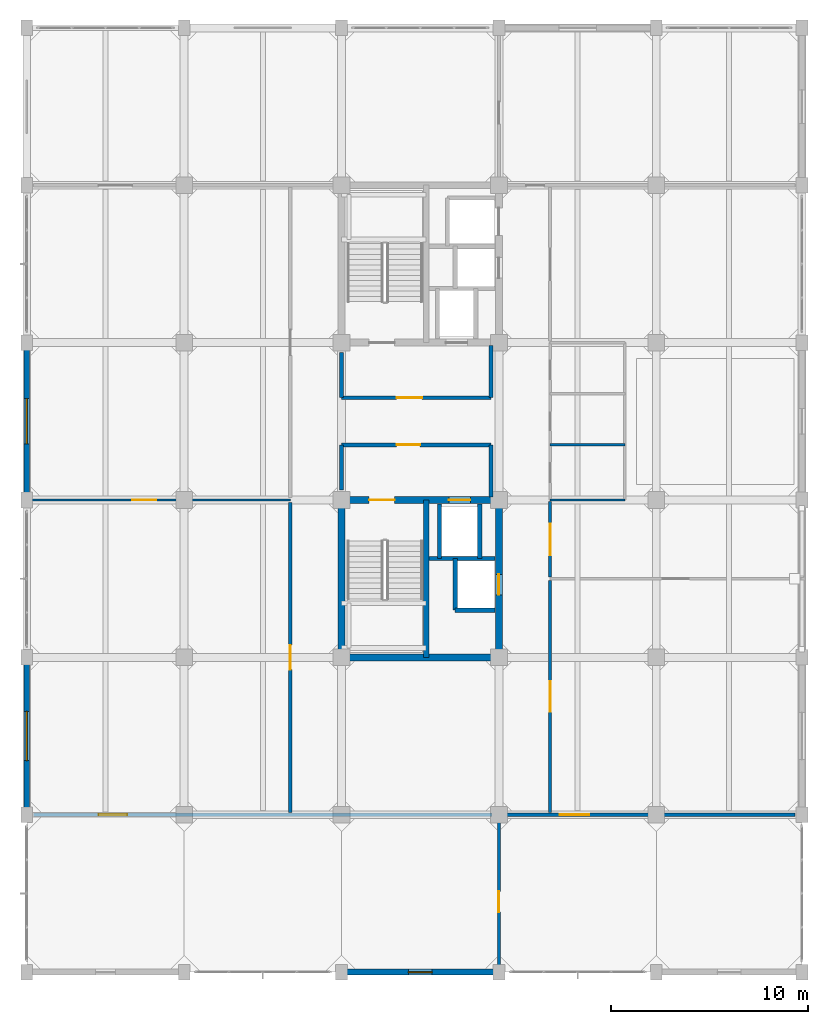
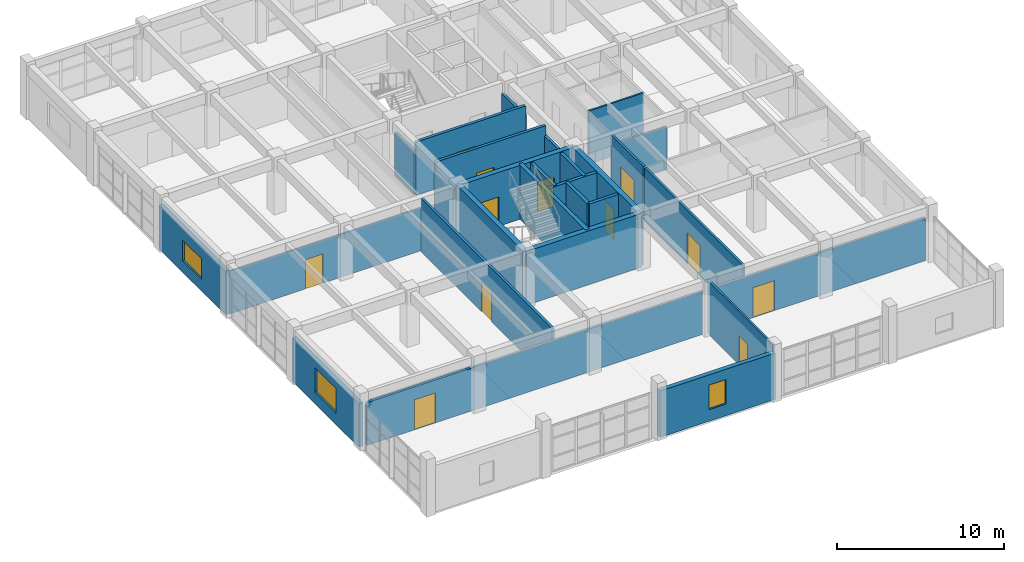
# One storey, part 21 of 27: 28 walls, 12 doors, 3 windows, 15 openings.
"""IFC4 building model written with IfcOpenShell, lengths in metres."""

from ifc_helpers import new_model, si_unit, direction, frame, frame_2d, origin, place, context, subcontext, project, spatial, rectangle, extrude, material, layer, layer_set, type_object, element, fill, save


model = new_model("IFC4")

# Units and contexts
model_context = context("Model", 3, precision=1e-05, world=origin(), true_north=direction((0.0, 1.0)))
body_context = subcontext(model_context, "Body", "Model", "MODEL_VIEW")
ifc_project = project(units=[si_unit("LENGTHUNIT", "METRE"), si_unit("AREAUNIT", "SQUARE_METRE"), si_unit("VOLUMEUNIT", "CUBIC_METRE"), si_unit("PLANEANGLEUNIT", "RADIAN"), si_unit("MASSUNIT", "GRAM", prefix="KILO")], contexts=[model_context])

# Site, building, storey
site_placement = place(None, origin())
site = spatial("IfcSite", under=ifc_project, at=site_placement, CompositionType="ELEMENT")
building_placement = place(site_placement, origin())
building = spatial("IfcBuilding", under=site, at=building_placement, Name="Canggui Botanical Conservatory", CompositionType="ELEMENT")
storey_placement = place(building_placement, frame((0.0, 0.0, 23.39990234375)))
storey = spatial("IfcBuildingStorey", under=building, at=storey_placement, Name="L06", CompositionType="ELEMENT", Elevation=23.39990234375)

# Wall, opening, window
ifc_material_1 = material(Name="Precast Concrete C40", Category="concrete")
ifc_layer_1 = layer(ifc_material_1, 0.300048828125, Name="Precast Concrete C40", Category="concrete")
ifc_layer_set_1 = layer_set([ifc_layer_1], Name="Precast Concrete C40")
wall_type_1 = type_object("IfcWallType", Name="EW-300", PredefinedType="STANDARD", material=ifc_layer_set_1)
wall_1_placement = place(storey_placement, frame((162.0, 26.0, 0.0), z_axis=(0.0, 0.0, 1.0), x_axis=(-1.0, 0.0, 0.0)))
wall_1 = element("IfcWall", 1, at=wall_1_placement, inside=storey, type_object=wall_type_1, Name="Tower Insulated Exterior Wall L06-S3", PredefinedType="STANDARD", context=body_context, shape_type="SweptSolid", body=[
    extrude(rectangle(XDim=8.0, YDim=0.300048828125, at=frame_2d((4.0, 0.0))), origin(), (0.0, 0.0, 1.0), 3.400146484375),
])
opening_1_placement = place(wall_1_placement, frame((3.39990234375, 0.0, 0.85009765625)))
opening_1 = element("IfcOpeningElement", 2, at=opening_1_placement, cuts=wall_1, Name="Opening W-15", PredefinedType="OPENING", context=body_context, shape_type="SweptSolid", body=[
    extrude(rectangle(XDim=1.199951171875, YDim=1.800048828125, at=frame_2d((0.60009765625, 0.89990234375))), frame((0.0, 0.16015625, 0.0), z_axis=(0.0, -1.0, 0.0), x_axis=(1.0, 0.0, 0.0)), (0.0, 0.0, 1.0), 0.320068359375),
])
ifc_material_2 = material(Name="Low-E Insulated Glass", Category="glass")
window_type_1 = type_object("IfcWindowType", Name="WIN-15", PartitioningType="SINGLE_PANEL", PredefinedType="WINDOW", material=ifc_material_2)
window_1_placement = place(opening_1_placement, origin())
window_1 = element("IfcWindow", 3, at=window_1_placement, inside=storey, type_object=window_type_1, Name="Tower Window L06-3", OverallHeight=1.800048828125, OverallWidth=1.199951171875, PartitioningType="SINGLE_PANEL", PredefinedType="WINDOW", context=body_context, shape_type="SweptSolid", body=[
    extrude(rectangle(XDim=1.199951171875, YDim=1.800048828125, at=frame_2d((0.60009765625, 0.89990234375))), frame((0.0, 0.030029296875, 0.0), z_axis=(0.0, -1.0, 0.0), x_axis=(1.0, 0.0, 0.0)), (0.0, 0.0, 1.0), 0.06005859375),
])
fill(opening_1, window_1)

wall_2_placement = place(storey_placement, frame((138.0, 34.0, 0.0), z_axis=(0.0, 0.0, 1.0), x_axis=(0.0, 1.0, 0.0)))
wall_2 = element("IfcWall", 4, at=wall_2_placement, inside=storey, type_object=wall_type_1, Name="Tower Insulated Exterior Wall L06-W7", PredefinedType="STANDARD", context=body_context, shape_type="SweptSolid", body=[
    extrude(rectangle(XDim=8.0, YDim=0.300048828125, at=frame_2d((4.0, 0.0))), origin(), (0.0, 0.0, 1.0), 3.190185546875),
])
opening_2_placement = place(wall_2_placement, frame((2.75, 0.0, 0.85009765625)))
opening_2 = element("IfcOpeningElement", 5, at=opening_2_placement, cuts=wall_2, Name="Opening W-18", PredefinedType="OPENING", context=body_context, shape_type="SweptSolid", body=[
    extrude(rectangle(XDim=2.5, YDim=1.800048828125, at=frame_2d((1.25, 0.89990234375))), frame((0.0, 0.16015625, 0.0), z_axis=(0.0, -1.0, 0.0), x_axis=(1.0, 0.0, 0.0)), (0.0, 0.0, 1.0), 0.320068359375),
])
window_type_2 = type_object("IfcWindowType", Name="WIN-18", PartitioningType="DOUBLE_PANEL_VERTICAL", PredefinedType="WINDOW", material=ifc_material_2)
window_2_placement = place(opening_2_placement, origin())
window_2 = element("IfcWindow", 6, at=window_2_placement, inside=storey, type_object=window_type_2, Name="Tower Window L06-7", OverallHeight=1.800048828125, OverallWidth=2.5, PartitioningType="SINGLE_PANEL", PredefinedType="WINDOW", context=body_context, shape_type="SweptSolid", body=[
    extrude(rectangle(XDim=2.5, YDim=1.800048828125, at=frame_2d((1.25, 0.89990234375))), frame((0.0, 0.030029296875, 0.0), z_axis=(0.0, -1.0, 0.0), x_axis=(1.0, 0.0, 0.0)), (0.0, 0.0, 1.0), 0.06005859375),
])
fill(opening_2, window_2)

wall_3_placement = place(storey_placement, frame((138.0, 50.0, 0.0), z_axis=(0.0, 0.0, 1.0), x_axis=(0.0, 1.0, 0.0)))
wall_3 = element("IfcWall", 7, at=wall_3_placement, inside=storey, type_object=wall_type_1, Name="Tower Insulated Exterior Wall L06-W9", PredefinedType="STANDARD", context=body_context, shape_type="SweptSolid", body=[
    extrude(rectangle(XDim=8.0, YDim=0.300048828125, at=frame_2d((4.0, 0.0))), origin(), (0.0, 0.0, 1.0), 3.190185546875),
])
opening_3_placement = place(wall_3_placement, frame((2.85009765625, 0.0, 0.85009765625)))
opening_3 = element("IfcOpeningElement", 8, at=opening_3_placement, cuts=wall_3, Name="Opening W-19", PredefinedType="OPENING", context=body_context, shape_type="SweptSolid", body=[
    extrude(rectangle(XDim=2.300048828125, YDim=1.5, at=frame_2d((1.14990234375, 0.75))), frame((0.0, 0.16015625, 0.0), z_axis=(0.0, -1.0, 0.0), x_axis=(1.0, 0.0, 0.0)), (0.0, 0.0, 1.0), 0.320068359375),
])
window_type_3 = type_object("IfcWindowType", Name="WIN-19", PartitioningType="DOUBLE_PANEL_VERTICAL", PredefinedType="WINDOW", material=ifc_material_2)
window_3_placement = place(opening_3_placement, origin())
window_3 = element("IfcWindow", 9, at=window_3_placement, inside=storey, type_object=window_type_3, Name="Tower Window L06-9", OverallHeight=1.5, OverallWidth=2.300048828125, PartitioningType="SINGLE_PANEL", PredefinedType="WINDOW", context=body_context, shape_type="SweptSolid", body=[
    extrude(rectangle(XDim=2.300048828125, YDim=1.5, at=frame_2d((1.14990234375, 0.75))), frame((0.0, 0.030029296875, 0.0), z_axis=(0.0, -1.0, 0.0), x_axis=(1.0, 0.0, 0.0)), (0.0, 0.0, 1.0), 0.06005859375),
])
fill(opening_3, window_3)

# Wall, opening, door
ifc_material_3 = material(Name="Gypsum Plasterboard Partition")
ifc_layer_2 = layer(ifc_material_3, 0.175048828125, Name="Gypsum Plasterboard Partition")
ifc_layer_set_2 = layer_set([ifc_layer_2], Name="Gypsum Plasterboard Partition")
wall_type_2 = type_object("IfcWallType", Name="IW-CORR-175", PredefinedType="STANDARD", material=ifc_layer_set_2)
wall_4_placement = place(storey_placement, frame((151.39990234375, 34.1201171875, 0.0), z_axis=(0.0, 0.0, 1.0), x_axis=(0.0, 1.0, 0.0)))
wall_4 = element("IfcWall", 10, at=wall_4_placement, inside=storey, type_object=wall_type_2, Name="L06 Plant Systematics Dry Research Laboratory Corridor Wall", PredefinedType="STANDARD", context=body_context, shape_type="SweptSolid", body=[
    extrude(rectangle(XDim=15.759765625, YDim=0.175048828125, at=frame_2d((7.8798828125, 0.0))), origin(), (0.0, 0.0, 1.0), 3.900146484375),
])
opening_4_placement = place(wall_4_placement, frame((7.2548828125, 0.0, 0.0)))
opening_4 = element("IfcOpeningElement", 11, at=opening_4_placement, cuts=wall_4, Name="Opening FD-08", PredefinedType="OPENING", context=body_context, shape_type="SweptSolid", body=[
    extrude(rectangle(XDim=1.25, YDim=2.14990234375, at=frame_2d((0.625, 1.074951171875))), frame((0.0, 0.09765625, 0.0), z_axis=(0.0, -1.0, 0.0), x_axis=(1.0, 0.0, 0.0)), (0.0, 0.0, 1.0), 0.195068359375),
])
ifc_material_4 = material(Name="Powder-Coated Steel", Category="steel")
door_type_1 = type_object("IfcDoorType", Name="FD-08", OperationType="NOTDEFINED", PredefinedType="DOOR", material=ifc_material_4)
door_1_placement = place(opening_4_placement, origin())
door_1 = element("IfcDoor", 12, at=door_1_placement, inside=storey, type_object=door_type_1, Name="L06 Plant Systematics Dry Research Laboratory Entrance Door", OperationType="SINGLE_SWING_RIGHT", OverallHeight=2.14990234375, OverallWidth=1.25, PredefinedType="DOOR", context=body_context, shape_type="SweptSolid", body=[
    extrude(rectangle(XDim=1.25, YDim=2.14990234375, at=frame_2d((0.625, 1.074951171875))), frame((0.0, 0.02490234375, 0.0), z_axis=(0.0, -1.0, 0.0), x_axis=(1.0, 0.0, 0.0)), (0.0, 0.0, 1.0), 0.050048828125),
])
fill(opening_4, door_1)

wall_5_placement = place(storey_placement, frame((138.35009765625, 34.0, 0.0), z_axis=(0.0, 0.0, 1.0), x_axis=(1.0, 0.0, 0.0)))
wall_5 = element("IfcWall", 13, at=wall_5_placement, inside=storey, type_object=wall_type_2, Name="L06 Quantitative Ecology Studio South Suite Wall", PredefinedType="STANDARD", context=body_context, shape_type="SweptSolid", body=[
    extrude(rectangle(XDim=23.2998046875, YDim=0.175048828125, at=frame_2d((11.64990234375, 0.0))), origin(), (0.0, 0.0, 1.0), 3.14013671875),
])
opening_5_placement = place(wall_5_placement, frame((3.300048828125, 0.0, 0.0)))
opening_5 = element("IfcOpeningElement", 14, at=opening_5_placement, cuts=wall_5, Name="Opening FD-12", PredefinedType="OPENING", context=body_context, shape_type="SweptSolid", body=[
    extrude(rectangle(XDim=1.449951171875, YDim=2.199951171875, at=frame_2d((0.72509765625, 1.10009765625))), frame((0.0, 0.09765625, 0.0), z_axis=(0.0, -1.0, 0.0), x_axis=(1.0, 0.0, 0.0)), (0.0, 0.0, 1.0), 0.195068359375),
])
door_type_2 = type_object("IfcDoorType", Name="FD-12", OperationType="NOTDEFINED", PredefinedType="DOOR", material=ifc_material_4)
door_2_placement = place(opening_5_placement, origin())
door_2 = element("IfcDoor", 15, at=door_2_placement, inside=storey, type_object=door_type_2, Name="Interior Door IW-L06-SCOR-1", OperationType="SINGLE_SWING_LEFT", OverallHeight=2.199951171875, OverallWidth=1.449951171875, PredefinedType="DOOR", context=body_context, shape_type="SweptSolid", body=[
    extrude(rectangle(XDim=1.449951171875, YDim=2.199951171875, at=frame_2d((0.72509765625, 1.10009765625))), frame((0.0, 0.02490234375, 0.0), z_axis=(0.0, -1.0, 0.0), x_axis=(1.0, 0.0, 0.0)), (0.0, 0.0, 1.0), 0.050048828125),
])
fill(opening_5, door_2)

wall_6_placement = place(storey_placement, frame((162.35009765625, 34.0, 0.0), z_axis=(0.0, 0.0, 1.0), x_axis=(1.0, 0.0, 0.0)))
wall_6 = element("IfcWall", 16, at=wall_6_placement, inside=storey, type_object=wall_type_2, Name="L06 Botanical GIS Mapping Laboratory South Suite Wall", PredefinedType="STANDARD", context=body_context, shape_type="SweptSolid", body=[
    extrude(rectangle(XDim=14.699951171875, YDim=0.175048828125, at=frame_2d((7.35009765625, 0.0))), origin(), (0.0, 0.0, 1.0), 3.14013671875),
])
opening_6_placement = place(wall_6_placement, frame((2.75, 0.0, 0.0)))
opening_6 = element("IfcOpeningElement", 17, at=opening_6_placement, cuts=wall_6, Name="Opening FD-13", PredefinedType="OPENING", context=body_context, shape_type="SweptSolid", body=[
    extrude(rectangle(XDim=1.5, YDim=2.199951171875, at=frame_2d((0.75, 1.10009765625))), frame((0.0, 0.09765625, 0.0), z_axis=(0.0, -1.0, 0.0), x_axis=(1.0, 0.0, 0.0)), (0.0, 0.0, 1.0), 0.195068359375),
])
door_type_3 = type_object("IfcDoorType", Name="FD-13", OperationType="NOTDEFINED", PredefinedType="DOOR", material=ifc_material_4)
door_3_placement = place(opening_6_placement, origin())
door_3 = element("IfcDoor", 18, at=door_3_placement, inside=storey, type_object=door_type_3, Name="Interior Door IW-L06-SCOR-2", OperationType="SINGLE_SWING_LEFT", OverallHeight=2.199951171875, OverallWidth=1.5, PredefinedType="DOOR", context=body_context, shape_type="SweptSolid", body=[
    extrude(rectangle(XDim=1.5, YDim=2.199951171875, at=frame_2d((0.75, 1.10009765625))), frame((0.0, 0.02490234375, 0.0), z_axis=(0.0, -1.0, 0.0), x_axis=(1.0, 0.0, 0.0)), (0.0, 0.0, 1.0), 0.050048828125),
])
fill(opening_6, door_3)

ifc_layer_3 = layer(ifc_material_3, 0.155029296875, Name="Gypsum Plasterboard Partition")
ifc_layer_set_3 = layer_set([ifc_layer_3], Name="Gypsum Plasterboard Partition")
wall_type_3 = type_object("IfcWallType", Name="IW-LAB-155", PredefinedType="STANDARD", material=ifc_layer_set_3)
wall_7_placement = place(storey_placement, frame((164.60009765625, 34.1201171875, 0.0), z_axis=(0.0, 0.0, 1.0), x_axis=(0.0, 1.0, 0.0)))
wall_7 = element("IfcWall", 19, at=wall_7_placement, inside=storey, type_object=wall_type_3, Name="L06 Biostatistics Seminar Room Lab Wall", PredefinedType="STANDARD", context=body_context, shape_type="SweptSolid", body=[
    extrude(rectangle(XDim=11.7998046875, YDim=0.155029296875, at=frame_2d((5.89990234375, 0.0))), origin(), (0.0, 0.0, 1.0), 3.900146484375),
])
opening_7_placement = place(wall_7_placement, frame((5.125, 0.0, 0.0)))
opening_7 = element("IfcOpeningElement", 20, at=opening_7_placement, cuts=wall_7, Name="Opening FD-14", PredefinedType="OPENING", context=body_context, shape_type="SweptSolid", body=[
    extrude(rectangle(XDim=1.550048828125, YDim=2.25, at=frame_2d((0.77490234375, 1.125))), frame((0.0, 0.08740234375, 0.0), z_axis=(0.0, -1.0, 0.0), x_axis=(1.0, 0.0, 0.0)), (0.0, 0.0, 1.0), 0.175048828125),
])
door_type_4 = type_object("IfcDoorType", Name="FD-14", OperationType="NOTDEFINED", PredefinedType="DOOR", material=ifc_material_4)
door_4_placement = place(opening_7_placement, origin())
door_4 = element("IfcDoor", 21, at=door_4_placement, inside=storey, type_object=door_type_4, Name="Interior Door IW-L06-ECOR-1-1", OperationType="SINGLE_SWING_LEFT", OverallHeight=2.25, OverallWidth=1.550048828125, PredefinedType="DOOR", context=body_context, shape_type="SweptSolid", body=[
    extrude(rectangle(XDim=1.550048828125, YDim=2.25, at=frame_2d((0.77490234375, 1.125))), frame((0.0, 0.02490234375, 0.0), z_axis=(0.0, -1.0, 0.0), x_axis=(1.0, 0.0, 0.0)), (0.0, 0.0, 1.0), 0.050048828125),
])
fill(opening_7, door_4)

wall_8_placement = place(storey_placement, frame((164.60009765625, 46.080078125, 0.0), z_axis=(0.0, 0.0, 1.0), x_axis=(0.0, 1.0, 0.0)))
wall_8 = element("IfcWall", 22, at=wall_8_placement, inside=storey, type_object=wall_type_3, Name="L06 Dry Herbarium Reference Laboratory Lab Wall", PredefinedType="STANDARD", context=body_context, shape_type="SweptSolid", body=[
    extrude(rectangle(XDim=3.83984375, YDim=0.155029296875, at=frame_2d((1.919921875, 0.0))), origin(), (0.0, 0.0, 1.0), 3.900146484375),
])
opening_8_placement = place(wall_8_placement, frame((1.1201171875, 0.0, 0.0)))
opening_8 = element("IfcOpeningElement", 23, at=opening_8_placement, cuts=wall_8, Name="Opening FD-15", PredefinedType="OPENING", context=body_context, shape_type="SweptSolid", body=[
    extrude(rectangle(XDim=1.60009765625, YDim=2.25, at=frame_2d((0.800048828125, 1.125))), frame((0.0, 0.08740234375, 0.0), z_axis=(0.0, -1.0, 0.0), x_axis=(1.0, 0.0, 0.0)), (0.0, 0.0, 1.0), 0.175048828125),
])
door_type_5 = type_object("IfcDoorType", Name="FD-15", OperationType="NOTDEFINED", PredefinedType="DOOR", material=ifc_material_4)
door_5_placement = place(opening_8_placement, origin())
door_5 = element("IfcDoor", 24, at=door_5_placement, inside=storey, type_object=door_type_5, Name="Interior Door IW-L06-ECOR-2-1", OperationType="DOUBLE_DOOR_SINGLE_SWING", OverallHeight=2.25, OverallWidth=1.60009765625, PredefinedType="DOOR", context=body_context, shape_type="SweptSolid", body=[
    extrude(rectangle(XDim=1.60009765625, YDim=2.25, at=frame_2d((0.800048828125, 1.125))), frame((0.0, 0.02490234375, 0.0), z_axis=(0.0, -1.0, 0.0), x_axis=(1.0, 0.0, 0.0)), (0.0, 0.0, 1.0), 0.050048828125),
])
fill(opening_8, door_5)

ifc_layer_4 = layer(ifc_material_3, 0.110107421875, Name="Gypsum Plasterboard Partition")
ifc_layer_set_4 = layer_set([ifc_layer_4], Name="Gypsum Plasterboard Partition")
wall_type_4 = type_object("IfcWallType", Name="IW-LIGHT-110", PredefinedType="STANDARD", material=ifc_layer_set_4)
wall_9_placement = place(storey_placement, frame((138.1201171875, 50.0, 0.0), z_axis=(0.0, 0.0, 1.0), x_axis=(1.0, 0.0, 0.0)))
wall_9 = element("IfcWall", 25, at=wall_9_placement, inside=storey, type_object=wall_type_4, Name="L06 Plant Systematics Dry Research Laboratory Cross Partition", PredefinedType="STANDARD", context=body_context, shape_type="SweptSolid", body=[
    extrude(rectangle(XDim=13.27978515625, YDim=0.110107421875, at=frame_2d((6.639892578125, 0.0))), origin(), (0.0, 0.0, 1.0), 3.14013671875),
])
opening_9_placement = place(wall_9_placement, frame((5.22998046875, 0.0, 0.0)))
opening_9 = element("IfcOpeningElement", 26, at=opening_9_placement, cuts=wall_9, Name="Opening ID-08", PredefinedType="OPENING", context=body_context, shape_type="SweptSolid", body=[
    extrude(rectangle(XDim=1.219970703125, YDim=2.139892578125, at=frame_2d((0.60986328125, 1.06982421875))), frame((0.0, 0.06494140625, 0.0), z_axis=(0.0, -1.0, 0.0), x_axis=(1.0, 0.0, 0.0)), (0.0, 0.0, 1.0), 0.130126953125),
])
ifc_material_5 = material(Name="Engineered Timber Veneer", Category="wood")
door_type_6 = type_object("IfcDoorType", Name="ID-08", OperationType="NOTDEFINED", PredefinedType="DOOR", material=ifc_material_5)
door_6_placement = place(opening_9_placement, origin())
door_6 = element("IfcDoor", 27, at=door_6_placement, inside=storey, type_object=door_type_6, Name="L06 Plant Systematics Dry Research Laboratory Interconnecting Door", OperationType="SINGLE_SWING_LEFT", OverallHeight=2.139892578125, OverallWidth=1.219970703125, PredefinedType="DOOR", context=body_context, shape_type="SweptSolid", body=[
    extrude(rectangle(XDim=1.219970703125, YDim=2.139892578125, at=frame_2d((0.60986328125, 1.06982421875))), frame((0.0, 0.02490234375, 0.0), z_axis=(0.0, -1.0, 0.0), x_axis=(1.0, 0.0, 0.0)), (0.0, 0.0, 1.0), 0.050048828125),
])
fill(opening_9, door_6)

ifc_material_6 = material(Name="Concrete C35", Category="concrete")
ifc_layer_5 = layer(ifc_material_6, 0.195068359375, Name="Concrete C35", Category="concrete")
ifc_layer_set_5 = layer_set([ifc_layer_5], Name="Concrete C35")
wall_type_5 = type_object("IfcWallType", Name="IW-LOBBY-195", PredefinedType="STANDARD", material=ifc_layer_set_5)
wall_10_placement = place(storey_placement, frame((154.0, 52.800048828125, 0.0), z_axis=(0.0, 0.0, 1.0), x_axis=(1.0, 0.0, 0.0)))
wall_10 = element("IfcWall", 28, at=wall_10_placement, inside=storey, type_object=wall_type_5, Name="L06 South Firefighting Lift Lobby North Wall", PredefinedType="STANDARD", context=body_context, shape_type="SweptSolid", body=[
    extrude(rectangle(XDim=7.60009765625, YDim=0.195068359375, at=frame_2d((3.800048828125, 0.0))), origin(), (0.0, 0.0, 1.0), 3.900146484375),
])
opening_10_placement = place(wall_10_placement, frame((2.800048828125, 0.0, 0.0)))
opening_10 = element("IfcOpeningElement", 29, at=opening_10_placement, cuts=wall_10, Name="Opening FD-07", PredefinedType="OPENING", context=body_context, shape_type="SweptSolid", body=[
    extrude(rectangle(XDim=1.199951171875, YDim=2.10009765625, at=frame_2d((0.60009765625, 1.050048828125))), frame((0.0, 0.107421875, 0.0), z_axis=(0.0, -1.0, 0.0), x_axis=(1.0, 0.0, 0.0)), (0.0, 0.0, 1.0), 0.215087890625),
])
door_type_7 = type_object("IfcDoorType", Name="FD-07", OperationType="NOTDEFINED", PredefinedType="DOOR", material=ifc_material_4)
door_7_placement = place(opening_10_placement, origin())
door_7 = element("IfcDoor", 30, at=door_7_placement, inside=storey, type_object=door_type_7, Name="L06 South Firefighting Lobby Fire Door", OperationType="SINGLE_SWING_LEFT", OverallHeight=2.10009765625, OverallWidth=1.199951171875, PredefinedType="DOOR", context=body_context, shape_type="SweptSolid", body=[
    extrude(rectangle(XDim=1.199951171875, YDim=2.10009765625, at=frame_2d((0.60009765625, 1.050048828125))), frame((0.0, 0.02490234375, 0.0), z_axis=(0.0, -1.0, 0.0), x_axis=(1.0, 0.0, 0.0)), (0.0, 0.0, 1.0), 0.050048828125),
])
fill(opening_10, door_7)

# Walls
wall_11_placement = place(storey_placement, frame((161.60009765625, 50.14990234375, 0.0), z_axis=(0.0, 0.0, 1.0), x_axis=(0.0, 1.0, 0.0)))
element("IfcWall", 31, at=wall_11_placement, inside=storey, type_object=wall_type_5, Name="L06 South Firefighting Lift Lobby East Wall", PredefinedType="STANDARD", context=body_context, shape_type="SweptSolid", body=[
    extrude(rectangle(XDim=2.650146484375, YDim=0.195068359375, at=frame_2d((1.3251953125, 0.0))), origin(), (0.0, 0.0, 1.0), 3.190185546875),
])
wall_12_placement = place(storey_placement, frame((154.0, 50.5, 0.0), z_axis=(0.0, 0.0, 1.0), x_axis=(0.0, 1.0, 0.0)))
element("IfcWall", 32, at=wall_12_placement, inside=storey, type_object=wall_type_5, Name="L06 South Firefighting Lift Lobby West Wall", PredefinedType="STANDARD", context=body_context, shape_type="SweptSolid", body=[
    extrude(rectangle(XDim=2.300048828125, YDim=0.195068359375, at=frame_2d((1.14990234375, 0.0))), origin(), (0.0, 0.0, 1.0), 3.190185546875),
])

# Wall, opening, door
wall_13_placement = place(storey_placement, frame((154.0, 55.199951171875, 0.0), z_axis=(0.0, 0.0, 1.0), x_axis=(1.0, 0.0, 0.0)))
wall_13 = element("IfcWall", 33, at=wall_13_placement, inside=storey, type_object=wall_type_5, Name="L06 North Firefighting Lift Lobby South Wall", PredefinedType="STANDARD", context=body_context, shape_type="SweptSolid", body=[
    extrude(rectangle(XDim=7.60009765625, YDim=0.195068359375, at=frame_2d((3.800048828125, 0.0))), origin(), (0.0, 0.0, 1.0), 3.900146484375),
])
opening_11_placement = place(wall_13_placement, frame((2.800048828125, 0.0, 0.0)))
opening_11 = element("IfcOpeningElement", 34, at=opening_11_placement, cuts=wall_13, Name="Opening FD-09", PredefinedType="OPENING", context=body_context, shape_type="SweptSolid", body=[
    extrude(rectangle(XDim=1.300048828125, YDim=2.14990234375, at=frame_2d((0.64990234375, 1.074951171875))), frame((0.0, 0.107421875, 0.0), z_axis=(0.0, -1.0, 0.0), x_axis=(1.0, 0.0, 0.0)), (0.0, 0.0, 1.0), 0.215087890625),
])
door_type_8 = type_object("IfcDoorType", Name="FD-09", OperationType="NOTDEFINED", PredefinedType="DOOR", material=ifc_material_4)
door_8_placement = place(opening_11_placement, origin())
door_8 = element("IfcDoor", 35, at=door_8_placement, inside=storey, type_object=door_type_8, Name="L06 North Firefighting Lobby Fire Door", OperationType="SINGLE_SWING_RIGHT", OverallHeight=2.14990234375, OverallWidth=1.300048828125, PredefinedType="DOOR", context=body_context, shape_type="SweptSolid", body=[
    extrude(rectangle(XDim=1.300048828125, YDim=2.14990234375, at=frame_2d((0.64990234375, 1.074951171875))), frame((0.0, 0.02490234375, 0.0), z_axis=(0.0, -1.0, 0.0), x_axis=(1.0, 0.0, 0.0)), (0.0, 0.0, 1.0), 0.050048828125),
])
fill(opening_11, door_8)

# Walls
wall_14_placement = place(storey_placement, frame((161.60009765625, 55.199951171875, 0.0), z_axis=(0.0, 0.0, 1.0), x_axis=(0.0, 1.0, 0.0)))
element("IfcWall", 36, at=wall_14_placement, inside=storey, type_object=wall_type_5, Name="L06 North Firefighting Lift Lobby East Wall", PredefinedType="STANDARD", context=body_context, shape_type="SweptSolid", body=[
    extrude(rectangle(XDim=2.650146484375, YDim=0.195068359375, at=frame_2d((1.3251953125, 0.0))), origin(), (0.0, 0.0, 1.0), 3.190185546875),
])
wall_15_placement = place(storey_placement, frame((154.0, 55.199951171875, 0.0), z_axis=(0.0, 0.0, 1.0), x_axis=(0.0, 1.0, 0.0)))
element("IfcWall", 37, at=wall_15_placement, inside=storey, type_object=wall_type_5, Name="L06 North Firefighting Lift Lobby West Wall", PredefinedType="STANDARD", context=body_context, shape_type="SweptSolid", body=[
    extrude(rectangle(XDim=2.300048828125, YDim=0.195068359375, at=frame_2d((1.14990234375, 0.0))), origin(), (0.0, 0.0, 1.0), 3.190185546875),
])

# Wall, opening, door
ifc_layer_6 = layer(ifc_material_3, 0.139892578125, Name="Gypsum Plasterboard Partition")
ifc_layer_set_6 = layer_set([ifc_layer_6], Name="Gypsum Plasterboard Partition")
wall_type_6 = type_object("IfcWallType", Name="IW-PART-140", PredefinedType="STANDARD", material=ifc_layer_set_6)
wall_16_placement = place(storey_placement, frame((162.0, 26.050048828125, 0.0), z_axis=(0.0, 0.0, 1.0), x_axis=(0.0, 1.0, 0.0)))
wall_16 = element("IfcWall", 38, at=wall_16_placement, inside=storey, type_object=wall_type_6, Name="L06 Quantitative Ecology Studio South Cross Wall", PredefinedType="STANDARD", context=body_context, shape_type="SweptSolid", body=[
    extrude(rectangle(XDim=7.829833984375, YDim=0.139892578125, at=frame_2d((3.9150390625, 0.0))), origin(), (0.0, 0.0, 1.0), 3.900146484375),
])
opening_12_placement = place(wall_16_placement, frame((3.0, 0.0, 0.0)))
opening_12 = element("IfcOpeningElement", 39, at=opening_12_placement, cuts=wall_16, Name="Opening ID-05", PredefinedType="OPENING", context=body_context, shape_type="SweptSolid", body=[
    extrude(rectangle(XDim=1.06005859375, YDim=2.1201171875, at=frame_2d((0.530029296875, 1.06005859375))), frame((0.0, 0.080078125, 0.0), z_axis=(0.0, -1.0, 0.0), x_axis=(1.0, 0.0, 0.0)), (0.0, 0.0, 1.0), 0.159912109375),
])
door_type_9 = type_object("IfcDoorType", Name="ID-05", OperationType="NOTDEFINED", PredefinedType="DOOR", material=ifc_material_5)
door_9_placement = place(opening_12_placement, origin())
door_9 = element("IfcDoor", 40, at=door_9_placement, inside=storey, type_object=door_type_9, Name="Interior Door IW-L06-SDIV-1", OperationType="SINGLE_SWING_RIGHT", OverallHeight=2.1201171875, OverallWidth=1.06005859375, PredefinedType="DOOR", context=body_context, shape_type="SweptSolid", body=[
    extrude(rectangle(XDim=1.06005859375, YDim=2.1201171875, at=frame_2d((0.530029296875, 1.06005859375))), frame((0.0, 0.02490234375, 0.0), z_axis=(0.0, -1.0, 0.0), x_axis=(1.0, 0.0, 0.0)), (0.0, 0.0, 1.0), 0.050048828125),
])
fill(opening_12, door_9)

# Walls
ifc_layer_7 = layer(ifc_material_6, 0.215087890625, Name="Concrete C35", Category="concrete")
ifc_layer_set_7 = layer_set([ifc_layer_7], Name="Concrete C35")
wall_type_7 = type_object("IfcWallType", Name="IW-SHAFT-215", PredefinedType="STANDARD", material=ifc_layer_set_7)
wall_17_placement = place(storey_placement, frame((158.449951171875, 47.02001953125, 0.0), z_axis=(0.0, 0.0, 1.0), x_axis=(1.0, 0.0, 0.0)))
element("IfcWall", 41, at=wall_17_placement, inside=storey, type_object=wall_type_7, Name="Core T1 Lift Shaft Divider L06", PredefinedType="STANDARD", context=body_context, shape_type="SweptSolid", body=[
    extrude(rectangle(XDim=3.35009765625, YDim=0.215087890625, at=frame_2d((1.675048828125, 0.0))), origin(), (0.0, 0.0, 1.0), 3.900146484375),
])
for number, where, z_axis, x_axis, name in (
    (42, (158.97998046875, 47.02001953125, 0.0), (0.0, 0.0, 1.0), (0.0, 1.0, 0.0), "Core T1 FL-01 West Shaft Wall L06"),
    (43, (161.02001953125, 47.02001953125, 0.0), (0.0, 0.0, 1.0), (0.0, 1.0, 0.0), "Core T1 FL-01 East Shaft Wall L06"),
):
    element("IfcWall", number, at=place(storey_placement, frame(where, z_axis=z_axis, x_axis=x_axis)), inside=storey, type_object=wall_type_7, Name=name, PredefinedType="STANDARD", context=body_context, shape_type="SweptSolid", body=[
        extrude(rectangle(XDim=2.780029296875, YDim=0.215087890625, at=frame_2d((1.39013671875, 0.0))), origin(), (0.0, 0.0, 1.0), 3.900146484375),
    ])
wall_18_placement = place(storey_placement, frame((159.780029296875, 44.39990234375, 0.0), z_axis=(0.0, 0.0, 1.0), x_axis=(0.0, 1.0, 0.0)))
element("IfcWall", 44, at=wall_18_placement, inside=storey, type_object=wall_type_7, Name="Core T1 PL-01 West Shaft Wall L06", PredefinedType="STANDARD", context=body_context, shape_type="SweptSolid", body=[
    extrude(rectangle(XDim=2.6201171875, YDim=0.215087890625, at=frame_2d((1.31005859375, 0.0))), origin(), (0.0, 0.0, 1.0), 3.900146484375),
])
wall_19_placement = place(storey_placement, frame((159.780029296875, 44.39990234375, 0.0), z_axis=(0.0, 0.0, 1.0), x_axis=(1.0, 0.0, 0.0)))
element("IfcWall", 45, at=wall_19_placement, inside=storey, type_object=wall_type_7, Name="Core T1 PL-01 South Shaft Wall L06", PredefinedType="STANDARD", context=body_context, shape_type="SweptSolid", body=[
    extrude(rectangle(XDim=2.02001953125, YDim=0.215087890625, at=frame_2d((1.010009765625, 0.0))), origin(), (0.0, 0.0, 1.0), 3.900146484375),
])
ifc_layer_8 = layer(ifc_material_3, 0.125, Name="Gypsum Plasterboard Partition")
ifc_layer_set_8 = layer_set([ifc_layer_8], Name="Gypsum Plasterboard Partition")
wall_type_8 = type_object("IfcWallType", Name="IW-WC-125", PredefinedType="STANDARD", material=ifc_layer_set_8)
wall_20_placement = place(storey_placement, frame((164.60009765625, 50.0, 0.0), z_axis=(0.0, 0.0, 1.0), x_axis=(1.0, 0.0, 0.0)))
element("IfcWall", 46, at=wall_20_placement, inside=storey, type_object=wall_type_8, Name="L06 Restroom Divider Y50.0", PredefinedType="STANDARD", context=body_context, shape_type="SweptSolid", body=[
    extrude(rectangle(XDim=3.7998046875, YDim=0.125, at=frame_2d((1.89990234375, 0.0))), origin(), (0.0, 0.0, 1.0), 3.14013671875),
])
wall_21_placement = place(storey_placement, frame((164.60009765625, 52.800048828125, 0.0), z_axis=(0.0, 0.0, 1.0), x_axis=(1.0, 0.0, 0.0)))
element("IfcWall", 47, at=wall_21_placement, inside=storey, type_object=wall_type_8, Name="L06 Restroom Divider Y52.8", PredefinedType="STANDARD", context=body_context, shape_type="SweptSolid", body=[
    extrude(rectangle(XDim=3.7998046875, YDim=0.125, at=frame_2d((1.89990234375, 0.0))), origin(), (0.0, 0.0, 1.0), 3.900146484375),
])
ifc_layer_9 = layer(ifc_material_6, 0.280029296875, Name="Concrete C35", Category="concrete")
ifc_layer_set_9 = layer_set([ifc_layer_9], Name="Concrete C35")
wall_type_9 = type_object("IfcWallType", Name="WALL-SH-280-C35", PredefinedType="SHEAR", material=ifc_layer_set_9)
wall_22_placement = place(storey_placement, frame((158.300048828125, 42.0, 0.0), z_axis=(0.0, 0.0, 1.0), x_axis=(0.0, 1.0, 0.0)))
element("IfcWall", 48, at=wall_22_placement, inside=storey, type_object=wall_type_9, Name="Core T1 Internal Shear Web L06", PredefinedType="SHEAR", context=body_context, shape_type="SweptSolid", body=[
    extrude(rectangle(XDim=8.0, YDim=0.280029296875, at=frame_2d((4.0, 0.0))), origin(), (0.0, 0.0, 1.0), 3.9501953125),
])
ifc_material_7 = material(Name="Concrete C40", Category="concrete")
ifc_layer_10 = layer(ifc_material_7, 0.35009765625, Name="Concrete C40", Category="concrete")
ifc_layer_set_10 = layer_set([ifc_layer_10], Name="Concrete C40")
wall_type_10 = type_object("IfcWallType", Name="WALL-SH-350-C40", PredefinedType="SHEAR", material=ifc_layer_set_10)
wall_23_placement = place(storey_placement, frame((154.0, 42.0, 0.0), z_axis=(0.0, 0.0, 1.0), x_axis=(1.0, 0.0, 0.0)))
element("IfcWall", 49, at=wall_23_placement, inside=storey, type_object=wall_type_10, Name="Core T1 Shear Wall L06-S", PredefinedType="SHEAR", context=body_context, shape_type="SweptSolid", body=[
    extrude(rectangle(XDim=8.0, YDim=0.35009765625, at=frame_2d((4.0, 0.0))), origin(), (0.0, 0.0, 1.0), 3.9501953125),
])

# Wall, opening, door
wall_24_placement = place(storey_placement, frame((162.0, 42.0, 0.0), z_axis=(0.0, 0.0, 1.0), x_axis=(0.0, 1.0, 0.0)))
wall_24 = element("IfcWall", 50, at=wall_24_placement, inside=storey, type_object=wall_type_10, Name="Core T1 Shear Wall L06-E", PredefinedType="SHEAR", context=body_context, shape_type="SweptSolid", body=[
    extrude(rectangle(XDim=8.0, YDim=0.35009765625, at=frame_2d((4.0, 0.0))), origin(), (0.0, 0.0, 1.0), 3.9501953125),
])
opening_13_placement = place(wall_24_placement, frame((3.175048828125, 0.0, 0.0)))
opening_13 = element("IfcOpeningElement", 51, at=opening_13_placement, cuts=wall_24, Name="Opening LD-02", PredefinedType="OPENING", context=body_context, shape_type="SweptSolid", body=[
    extrude(rectangle(XDim=1.050048828125, YDim=2.199951171875, at=frame_2d((0.52490234375, 1.10009765625))), frame((0.0, 0.18505859375, 0.0), z_axis=(0.0, -1.0, 0.0), x_axis=(1.0, 0.0, 0.0)), (0.0, 0.0, 1.0), 0.3701171875),
])
ifc_material_8 = material(Name="Stainless Steel 304", Category="steel")
door_type_10 = type_object("IfcDoorType", Name="LDR-02", OperationType="NOTDEFINED", PredefinedType="DOOR", material=ifc_material_8)
door_10_placement = place(opening_13_placement, origin())
door_10 = element("IfcDoor", 52, at=door_10_placement, inside=storey, type_object=door_type_10, Name="Passenger Lift PL-01 Landing Door L06", OperationType="SLIDING_TO_LEFT", OverallHeight=2.199951171875, OverallWidth=1.050048828125, PredefinedType="DOOR", context=body_context, shape_type="SweptSolid", body=[
    extrude(rectangle(XDim=1.050048828125, YDim=2.199951171875, at=frame_2d((0.52490234375, 1.10009765625))), frame((0.0, 0.02490234375, 0.0), z_axis=(0.0, -1.0, 0.0), x_axis=(1.0, 0.0, 0.0)), (0.0, 0.0, 1.0), 0.050048828125),
])
fill(opening_13, door_10)

# Wall, openings, doors
wall_25_placement = place(storey_placement, frame((162.0, 50.0, 0.0), z_axis=(0.0, 0.0, 1.0), x_axis=(-1.0, 0.0, 0.0)))
wall_25 = element("IfcWall", 53, at=wall_25_placement, inside=storey, type_object=wall_type_10, Name="Core T1 Shear Wall L06-N", PredefinedType="SHEAR", context=body_context, shape_type="SweptSolid", body=[
    extrude(rectangle(XDim=8.0, YDim=0.35009765625, at=frame_2d((4.0, 0.0))), origin(), (0.0, 0.0, 1.0), 3.9501953125),
])
opening_14_placement = place(wall_25_placement, frame((5.300048828125, 0.0, 0.0)))
opening_14 = element("IfcOpeningElement", 54, at=opening_14_placement, cuts=wall_25, Name="Opening FD-09", PredefinedType="OPENING", context=body_context, shape_type="SweptSolid", body=[
    extrude(rectangle(XDim=1.300048828125, YDim=2.14990234375, at=frame_2d((0.64990234375, 1.074951171875))), frame((0.0, 0.18505859375, 0.0), z_axis=(0.0, -1.0, 0.0), x_axis=(1.0, 0.0, 0.0)), (0.0, 0.0, 1.0), 0.3701171875),
])
opening_15_placement = place(wall_25_placement, frame((1.449951171875, 0.0, 0.0)))
opening_15 = element("IfcOpeningElement", 55, at=opening_15_placement, cuts=wall_25, Name="Opening LD-01", PredefinedType="OPENING", context=body_context, shape_type="SweptSolid", body=[
    extrude(rectangle(XDim=1.10009765625, YDim=2.199951171875, at=frame_2d((0.550048828125, 1.10009765625))), frame((0.0, 0.18505859375, 0.0), z_axis=(0.0, -1.0, 0.0), x_axis=(1.0, 0.0, 0.0)), (0.0, 0.0, 1.0), 0.3701171875),
])
door_11_placement = place(opening_14_placement, origin())
door_11 = element("IfcDoor", 56, at=door_11_placement, inside=storey, type_object=door_type_8, Name="Tower South Smoke-Proof Stair Door L06", OperationType="SINGLE_SWING_LEFT", OverallHeight=2.14990234375, OverallWidth=1.300048828125, PredefinedType="DOOR", context=body_context, shape_type="SweptSolid", body=[
    extrude(rectangle(XDim=1.300048828125, YDim=2.14990234375, at=frame_2d((0.64990234375, 1.074951171875))), frame((0.0, 0.02490234375, 0.0), z_axis=(0.0, -1.0, 0.0), x_axis=(1.0, 0.0, 0.0)), (0.0, 0.0, 1.0), 0.050048828125),
])
fill(opening_14, door_11)
door_type_11 = type_object("IfcDoorType", Name="LDR-01", OperationType="NOTDEFINED", PredefinedType="DOOR", material=ifc_material_8)
door_12_placement = place(opening_15_placement, origin())
door_12 = element("IfcDoor", 57, at=door_12_placement, inside=storey, type_object=door_type_11, Name="Firefighting Lift FL-01 Landing Door L06", OperationType="SLIDING_TO_LEFT", OverallHeight=2.199951171875, OverallWidth=1.10009765625, PredefinedType="DOOR", context=body_context, shape_type="SweptSolid", body=[
    extrude(rectangle(XDim=1.10009765625, YDim=2.199951171875, at=frame_2d((0.550048828125, 1.10009765625))), frame((0.0, 0.02490234375, 0.0), z_axis=(0.0, -1.0, 0.0), x_axis=(1.0, 0.0, 0.0)), (0.0, 0.0, 1.0), 0.050048828125),
])
fill(opening_15, door_12)

# Wall
wall_26_placement = place(storey_placement, frame((154.0, 50.0, 0.0), z_axis=(0.0, 0.0, 1.0), x_axis=(0.0, -1.0, 0.0)))
element("IfcWall", 58, at=wall_26_placement, inside=storey, type_object=wall_type_10, Name="Core T1 Shear Wall L06-W", PredefinedType="SHEAR", context=body_context, shape_type="SweptSolid", body=[
    extrude(rectangle(XDim=8.0, YDim=0.35009765625, at=frame_2d((4.0, 0.0))), origin(), (0.0, 0.0, 1.0), 3.9501953125),
])

save(model, "model.ifc")
